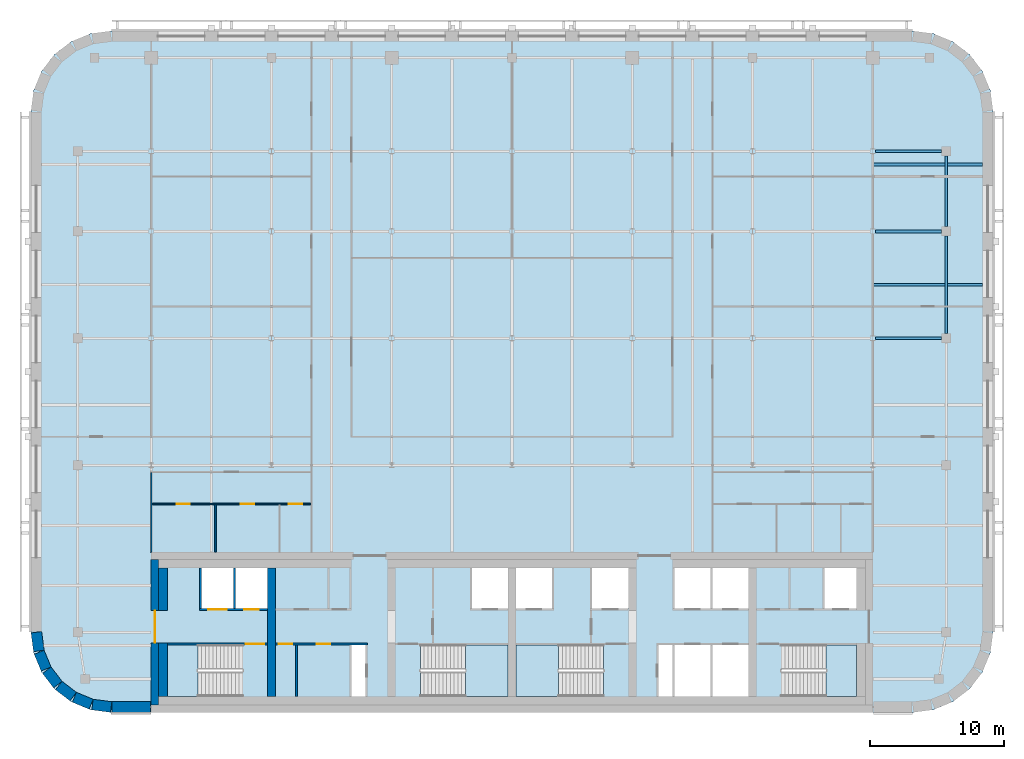
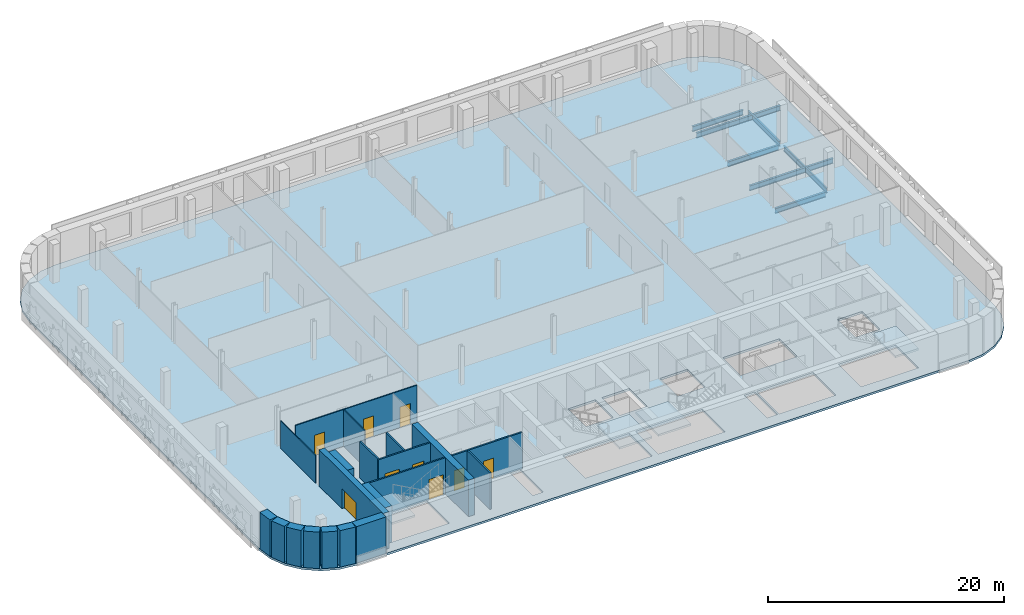
# One storey, part 6 of 16: 20 walls, 9 doors, 7 beams, 5 slabs, 9 openings, 4 elements without a shape of their own.
"""IFC4 building model written with IfcOpenShell, lengths in metres."""

from ifc_helpers import new_model, si_unit, direction, frame, frame_2d, origin, origin_2d, place, context, subcontext, project, spatial, polyline, rectangle, i_section, outline, extrude, material, layer, layer_set, material_profile, profile_set, type_object, element, fill, aggregate, save


model = new_model("IFC4")

# Units and contexts
model_context = context("Model", 3, precision=1e-05, world=origin(), true_north=direction((0.0, 1.0)))
body_context = subcontext(model_context, "Body", "Model", "MODEL_VIEW")
ifc_project = project(units=[si_unit("LENGTHUNIT", "METRE"), si_unit("AREAUNIT", "SQUARE_METRE"), si_unit("VOLUMEUNIT", "CUBIC_METRE"), si_unit("PLANEANGLEUNIT", "RADIAN"), si_unit("MASSUNIT", "GRAM", prefix="KILO")], contexts=[model_context])

# Site, building, storey
site_placement = place(None, origin())
site = spatial("IfcSite", under=ifc_project, at=site_placement, CompositionType="ELEMENT")
building_placement = place(site_placement, origin())
building = spatial("IfcBuilding", under=site, at=building_placement, Name="Zellij Exchange Tower", CompositionType="ELEMENT")
storey_placement = place(building_placement, frame((0.0, 0.0, 280.5)))
storey = spatial("IfcBuildingStorey", under=building, at=storey_placement, Name="L66", CompositionType="ELEMENT", Elevation=280.5)

# Beams
ifc_material_1 = material(Name="Structural steel ASTM A992 Gr 50", Category="steel")
ifc_material_profile_1 = material_profile(ifc_material_1, i_section(OverallWidth=0.209228515625, OverallDepth=0.533447265625, WebThickness=0.01025390625, FlangeThickness=0.015625, at=origin_2d()), Name="W21x62")
ifc_profile_set_1 = profile_set([ifc_material_profile_1], Name="Structural steel ASTM A992 Gr 50")
beam_type_1 = type_object("IfcBeamType", Name="STR-BEAM W21x62", PredefinedType="BEAM", material=ifc_profile_set_1)
for number, where, z_axis, x_axis, name in (
    (1, (27.0, 18.0, -0.48681640625), (1.0, 0.0, 0.0), (0.0, 1.0, 0.0), "B3"),
    (2, (27.0, 27.0, -0.48681640625), (1.0, 0.0, 0.0), (0.0, 1.0, 0.0), "B3"),
):
    element("IfcBeam", number, at=place(storey_placement, frame(where, z_axis=z_axis, x_axis=x_axis)), inside=storey, type_object=beam_type_1, Name=name, PredefinedType="BEAM", context=body_context, shape_type="SweptSolid", body=[
        extrude(i_section(OverallWidth=0.209228515625, OverallDepth=0.533447265625, WebThickness=0.01025390625, FlangeThickness=0.015625, at=origin_2d()), origin(), (0.0, 0.0, 1.0), 8.199951171875),
    ])
ifc_material_profile_2 = material_profile(ifc_material_1, i_section(OverallWidth=0.1650390625, OverallDepth=0.52587890625, WebThickness=0.0087890625, FlangeThickness=0.011474609375, at=origin_2d()), Name="W21x44")
ifc_profile_set_2 = profile_set([ifc_material_profile_2], Name="Structural steel ASTM A992 Gr 50")
beam_type_2 = type_object("IfcBeamType", Name="STR-EDGE GIRDER W21x44", PredefinedType="BEAM", material=ifc_profile_set_2)
beam_1_placement = place(storey_placement, frame((32.5, 14.35009765625, -0.48291015625), z_axis=(0.0, 1.0, 0.0), x_axis=(-1.0, 0.0, 0.0)))
element("IfcBeam", 3, at=beam_1_placement, inside=storey, type_object=beam_type_2, Name="EB2", PredefinedType="BEAM", context=body_context, shape_type="SweptSolid", body=[
    extrude(i_section(OverallWidth=0.1650390625, OverallDepth=0.52587890625, WebThickness=0.0087890625, FlangeThickness=0.011474609375, at=origin_2d()), origin(), (0.0, 0.0, 1.0), 7.2998046875),
])
beam_2_placement = place(storey_placement, frame((32.5, 22.35009765625, -0.48291015625), z_axis=(0.0, 1.0, 0.0), x_axis=(-1.0, 0.0, 0.0)))
element("IfcBeam", 4, at=beam_2_placement, inside=storey, type_object=beam_type_2, Name="EB2", PredefinedType="BEAM", context=body_context, shape_type="SweptSolid", body=[
    extrude(i_section(OverallWidth=0.1650390625, OverallDepth=0.52587890625, WebThickness=0.0087890625, FlangeThickness=0.011474609375, at=origin_2d()), origin(), (0.0, 0.0, 1.0), 5.2998046875),
])
ifc_material_profile_3 = material_profile(ifc_material_1, i_section(OverallWidth=0.209228515625, OverallDepth=0.533447265625, WebThickness=0.01025390625, FlangeThickness=0.015625, at=origin_2d()), Name="W21x62")
ifc_profile_set_3 = profile_set([ifc_material_profile_3], Name="Structural steel ASTM A992 Gr 50")
beam_type_3 = type_object("IfcBeamType", Name="STR-GIRDER W21x62", PredefinedType="BEAM", material=ifc_profile_set_3)
for number, where, z_axis, x_axis, name in (
    (5, (27.186767578125, 14.0, -0.48681640625), (1.0, 0.0, 0.0), (0.0, 1.0, 0.0), "G1"),
    (6, (27.186767578125, 22.0, -0.48681640625), (1.0, 0.0, 0.0), (0.0, 1.0, 0.0), "G1"),
    (7, (27.186767578125, 28.0, -0.48681640625), (1.0, 0.0, 0.0), (0.0, 1.0, 0.0), "G1"),
):
    element("IfcBeam", number, at=place(storey_placement, frame(where, z_axis=z_axis, x_axis=x_axis)), inside=storey, type_object=beam_type_3, Name=name, PredefinedType="BEAM", context=body_context, shape_type="SweptSolid", body=[
        extrude(i_section(OverallWidth=0.209228515625, OverallDepth=0.533447265625, WebThickness=0.01025390625, FlangeThickness=0.015625, at=origin_2d()), origin(), (0.0, 0.0, 1.0), 4.963134765625),
    ])

# Stair, slab
ifc_material_2 = material(Name="Concrete C40/50", Category="concrete")
stair_type = type_object("IfcStairType", Name="CORE-ST exit stair 1850 wide", PredefinedType="HALF_TURN_STAIR", material=ifc_material_2)
stair_1_placement = place(storey_placement, origin())
stair_1 = element("IfcStair", 8, at=stair_1_placement, inside=storey, type_object=stair_type, Name="L66 exit stair ST1", PredefinedType="HALF_TURN_STAIR")
ifc_layer_1 = layer(ifc_material_2, 0.199951171875)
ifc_layer_set_1 = layer_set([ifc_layer_1], Name="Concrete C40/50")
slab_type_1 = type_object("IfcSlabType", Name="CORE-SL stair landing 200", PredefinedType="LANDING", material=ifc_layer_set_1)
slab_1_placement = place(storey_placement, frame((0.0, 0.0, 1.800048828125)))
slab_1 = element("IfcSlab", 9, at=slab_1_placement, type_object=slab_type_1, Name="ST1 landing 1", PredefinedType="LANDING", context=body_context, shape_type="SweptSolid", body=[
    extrude(outline(polyline([(-23.510009765625, -8.949951171875), (-25.800048828125, -8.949951171875), (-25.800048828125, -12.800048828125), (-23.510009765625, -12.800048828125), (-23.510009765625, -8.949951171875)])), origin(), (0.0, 0.0, 1.0), 0.199951171875),
])
aggregate(stair_1, [slab_1])

stair_2_placement = place(storey_placement, origin())
stair_2 = element("IfcStair", 10, at=stair_2_placement, inside=storey, type_object=stair_type, Name="L66 exit stair ST2", PredefinedType="HALF_TURN_STAIR")
slab_2_placement = place(storey_placement, frame((0.0, 0.0, 1.800048828125)))
slab_2 = element("IfcSlab", 11, at=slab_2_placement, type_object=slab_type_1, Name="ST2 landing 1", PredefinedType="LANDING", context=body_context, shape_type="SweptSolid", body=[
    extrude(outline(polyline([(-3.489990234375, -12.800048828125), (-0.300048828125, -12.800048828125), (-0.300048828125, -8.949951171875), (-3.489990234375, -8.949951171875), (-3.489990234375, -12.800048828125)])), origin(), (0.0, 0.0, 1.0), 0.199951171875),
])
aggregate(stair_2, [slab_2])

stair_3_placement = place(storey_placement, origin())
stair_3 = element("IfcStair", 12, at=stair_3_placement, inside=storey, type_object=stair_type, Name="L66 exit stair ST3", PredefinedType="HALF_TURN_STAIR")
slab_3_placement = place(storey_placement, frame((0.0, 0.0, 1.800048828125)))
slab_3 = element("IfcSlab", 13, at=slab_3_placement, type_object=slab_type_1, Name="ST3 landing 1", PredefinedType="LANDING", context=body_context, shape_type="SweptSolid", body=[
    extrude(outline(polyline([(3.489990234375, -8.949951171875), (0.300048828125, -8.949951171875), (0.300048828125, -12.800048828125), (3.489990234375, -12.800048828125), (3.489990234375, -8.949951171875)])), origin(), (0.0, 0.0, 1.0), 0.199951171875),
])
aggregate(stair_3, [slab_3])

stair_4_placement = place(storey_placement, origin())
stair_4 = element("IfcStair", 14, at=stair_4_placement, inside=storey, type_object=stair_type, Name="L66 exit stair ST4", PredefinedType="HALF_TURN_STAIR")
slab_4_placement = place(storey_placement, frame((0.0, 0.0, 1.800048828125)))
slab_4 = element("IfcSlab", 15, at=slab_4_placement, type_object=slab_type_1, Name="ST4 landing 1", PredefinedType="LANDING", context=body_context, shape_type="SweptSolid", body=[
    extrude(outline(polyline([(23.510009765625, -12.800048828125), (25.800048828125, -12.800048828125), (25.800048828125, -8.949951171875), (23.510009765625, -8.949951171875), (23.510009765625, -12.800048828125)])), origin(), (0.0, 0.0, 1.0), 0.199951171875),
])
aggregate(stair_4, [slab_4])

# Slab
ifc_layer_2 = layer(ifc_material_2, 0.219970703125)
ifc_layer_set_2 = layer_set([ifc_layer_2], Name="Concrete C40/50")
slab_type_2 = type_object("IfcSlabType", Name="STR-FLOOR SLAB 220 C40/50", PredefinedType="FLOOR", material=ifc_layer_set_2)
slab_5_placement = place(storey_placement, frame((0.0, 0.0, -0.22021484375)))
element("IfcSlab", 16, at=slab_5_placement, inside=storey, type_object=slab_type_2, Name="Floor L66", PredefinedType="FLOOR", context=body_context, shape_type="SweptSolid", body=[
    extrude(outline(polyline([(-30.0, -14.0), (-31.552978515625, -13.795654296875), (-33.0, -13.1962890625), (-34.24267578125, -12.24267578125), (-35.1962890625, -11.0), (-35.795654296875, -9.552978515625), (-36.0, -8.0), (-36.0, 31.0), (-35.795654296875, 32.552978515625), (-35.1962890625, 34.0), (-34.24267578125, 35.24267578125), (-33.0, 36.1962890625), (-31.552978515625, 36.795654296875), (-30.0, 37.0), (30.0, 37.0), (31.552978515625, 36.795654296875), (33.0, 36.1962890625), (34.24267578125, 35.24267578125), (35.1962890625, 34.0), (35.795654296875, 32.552978515625), (36.0, 31.0), (36.0, -8.0), (35.795654296875, -9.552978515625), (35.1962890625, -11.0), (34.24267578125, -12.24267578125), (33.0, -13.1962890625), (31.552978515625, -13.795654296875), (30.0, -14.0), (-30.0, -14.0)]), holes=[polyline([(-25.800048828125, -8.949951171875), (-25.800048828125, -12.800048828125), (-20.153076171875, -12.800048828125), (-20.153076171875, -8.949951171875), (-25.800048828125, -8.949951171875)]), polyline([(-10.949951171875, -8.949951171875), (-12.0, -8.949951171875), (-12.0, -12.800048828125), (-10.949951171875, -12.800048828125), (-10.949951171875, -8.949951171875)]), polyline([(-0.300048828125, -8.949951171875), (-6.846923828125, -8.949951171875), (-6.846923828125, -12.800048828125), (-0.300048828125, -12.800048828125), (-0.300048828125, -8.949951171875)]), polyline([(0.300048828125, -8.949951171875), (0.300048828125, -12.800048828125), (6.846923828125, -12.800048828125), (6.846923828125, -8.949951171875), (0.300048828125, -8.949951171875)]), polyline([(-18.300048828125, -3.199951171875), (-23.25, -3.199951171875), (-23.25, -6.22509765625), (-18.300048828125, -6.22509765625), (-18.300048828125, -3.199951171875)]), polyline([(-0.300048828125, -3.199951171875), (-3.0, -3.199951171875), (-3.0, -6.22509765625), (-0.300048828125, -6.22509765625), (-0.300048828125, -3.199951171875)]), polyline([(0.300048828125, -3.199951171875), (0.300048828125, -6.22509765625), (3.0, -6.22509765625), (3.0, -3.199951171875), (0.300048828125, -3.199951171875)]), polyline([(12.0, -8.949951171875), (10.949951171875, -8.949951171875), (10.949951171875, -12.800048828125), (12.0, -12.800048828125), (12.0, -8.949951171875)]), polyline([(17.699951171875, -8.949951171875), (12.14990234375, -8.949951171875), (12.14990234375, -12.800048828125), (17.699951171875, -12.800048828125), (17.699951171875, -8.949951171875)]), polyline([(25.800048828125, -8.949951171875), (20.153076171875, -8.949951171875), (20.153076171875, -12.800048828125), (25.800048828125, -12.800048828125), (25.800048828125, -8.949951171875)]), polyline([(8.699951171875, -3.199951171875), (6.0, -3.199951171875), (6.0, -6.22509765625), (8.699951171875, -6.22509765625), (8.699951171875, -3.199951171875)]), polyline([(17.699951171875, -3.199951171875), (12.14990234375, -3.199951171875), (12.14990234375, -6.22509765625), (17.699951171875, -6.22509765625), (17.699951171875, -3.199951171875)]), polyline([(25.800048828125, -3.199951171875), (23.39990234375, -3.199951171875), (23.39990234375, -6.22509765625), (25.800048828125, -6.22509765625), (25.800048828125, -3.199951171875)])]), origin(), (0.0, 0.0, 1.0), 0.22021484375),
])

# Walls
ifc_material_3 = material(Name="Concrete C50/60", Category="concrete")
ifc_layer_3 = layer(ifc_material_3, 0.60009765625)
ifc_layer_set_3 = layer_set([ifc_layer_3], Name="Concrete C50/60")
wall_type_1 = type_object("IfcWallType", Name="CORE-CW 600 C50/60", PredefinedType="SHEAR", material=ifc_layer_set_3)
wall_1_placement = place(storey_placement, frame((-18.0, -12.800048828125, 0.0), z_axis=(0.0, 0.0, 1.0), x_axis=(0.0, 1.0, 0.0)))
element("IfcWall", 17, at=wall_1_placement, inside=storey, type_object=wall_type_1, Name="Core cross wall x -18 L66", PredefinedType="SHEAR", context=body_context, shape_type="SweptSolid", body=[
    extrude(rectangle(XDim=9.60009765625, YDim=0.60009765625, at=frame_2d((4.800048828125, 0.0))), origin(), (0.0, 0.0, 1.0), 3.780029296875),
])
ifc_material_4 = material(Name="Concrete C30/37", Category="concrete")
ifc_layer_4 = layer(ifc_material_4, 0.64990234375)
ifc_layer_set_4 = layer_set([ifc_layer_4], Name="Concrete C30/37")
wall_type_2 = type_object("IfcWallType", Name="CORE-LW 650 C30/37", PredefinedType="SHEAR", material=ifc_layer_set_4)
wall_2_placement = place(storey_placement, frame((-26.125, -12.800048828125, 0.0), z_axis=(0.0, 0.0, 1.0), x_axis=(0.0, 1.0, 0.0)))
element("IfcWall", 18, at=wall_2_placement, inside=storey, type_object=wall_type_2, Name="Core wall lining end w.0 L66", PredefinedType="SHEAR", context=body_context, shape_type="SweptSolid", body=[
    extrude(rectangle(XDim=4.0, YDim=0.64990234375, at=frame_2d((2.0, 0.0))), origin(), (0.0, 0.0, 1.0), 3.780029296875),
])
wall_3_placement = place(storey_placement, frame((-26.125, -6.375, 0.0), z_axis=(0.0, 0.0, 1.0), x_axis=(0.0, 1.0, 0.0)))
element("IfcWall", 19, at=wall_3_placement, inside=storey, type_object=wall_type_2, Name="Core wall lining end w.1 L66", PredefinedType="SHEAR", context=body_context, shape_type="SweptSolid", body=[
    extrude(rectangle(XDim=3.175048828125, YDim=0.64990234375, at=frame_2d((1.58740234375, 0.0))), origin(), (0.0, 0.0, 1.0), 3.780029296875),
])
ifc_material_5 = material(Name="Gypsum board partition")
ifc_layer_5 = layer(ifc_material_5, 0.14990234375)
ifc_layer_set_5 = layer_set([ifc_layer_5], Name="Gypsum board partition")
wall_type_3 = type_object("IfcWallType", Name="CORE-PW 150 Lift lobby wall", PredefinedType="PARTITIONING", material=ifc_layer_set_5)
wall_4_placement = place(storey_placement, frame((-16.125, -12.800048828125, 0.0), z_axis=(0.0, 0.0, 1.0), x_axis=(0.0, 1.0, 0.0)))
element("IfcWall", 20, at=wall_4_placement, inside=storey, type_object=wall_type_3, Name="Lift lobby wall L66", PredefinedType="PARTITIONING", context=body_context, shape_type="SweptSolid", body=[
    extrude(rectangle(XDim=3.85009765625, YDim=0.14990234375, at=frame_2d((1.925048828125, 0.0))), origin(), (0.0, 0.0, 1.0), 3.780029296875),
])

# Wall, openings, doors
wall_5_placement = place(storey_placement, frame((-17.699951171875, -8.875, 0.0), z_axis=(0.0, 0.0, 1.0), x_axis=(1.0, 0.0, 0.0)))
wall_5 = element("IfcWall", 21, at=wall_5_placement, inside=storey, type_object=wall_type_3, Name="Lift lobby wall L66", PredefinedType="PARTITIONING", context=body_context, shape_type="SweptSolid", body=[
    extrude(rectangle(XDim=6.89990234375, YDim=0.14990234375, at=frame_2d((3.449951171875, 0.0))), origin(), (0.0, 0.0, 1.0), 3.780029296875),
])
opening_1_placement = place(wall_5_placement, frame((0.25, 0.0, 0.0)))
opening_1 = element("IfcOpeningElement", 22, at=opening_1_placement, cuts=wall_5, Name="Opening CA-35.05", PredefinedType="OPENING", context=body_context, shape_type="SweptSolid", body=[
    extrude(rectangle(XDim=1.0, YDim=2.10009765625, at=frame_2d((0.5, 1.050048828125))), frame((0.0, 0.0869140625, 0.0), z_axis=(0.0, -1.0, 0.0), x_axis=(1.0, 0.0, 0.0)), (0.0, 0.0, 1.0), 0.173828125),
])
opening_2_placement = place(wall_5_placement, frame((3.10009765625, 0.0, 0.0)))
opening_2 = element("IfcOpeningElement", 23, at=opening_2_placement, cuts=wall_5, Name="Opening CA-35.07", PredefinedType="OPENING", context=body_context, shape_type="SweptSolid", body=[
    extrude(rectangle(XDim=1.0, YDim=2.10009765625, at=frame_2d((0.5, 1.050048828125))), frame((0.0, 0.0869140625, 0.0), z_axis=(0.0, -1.0, 0.0), x_axis=(1.0, 0.0, 0.0)), (0.0, 0.0, 1.0), 0.173828125),
])
ifc_material_6 = material(Name="Hollow metal fire door")
door_type_1 = type_object("IfcDoorType", Name="CORE-D CD Core room door 1000x2100 1 HR", OperationType="NOTDEFINED", PredefinedType="DOOR", material=ifc_material_6)
door_1_placement = place(opening_1_placement, origin())
door_1 = element("IfcDoor", 24, at=door_1_placement, inside=storey, type_object=door_type_1, Name="Core room door CA-35.05", OperationType="SINGLE_SWING_RIGHT", OverallHeight=2.10009765625, OverallWidth=1.0, PredefinedType="DOOR", context=body_context, shape_type="SweptSolid", body=[
    extrude(rectangle(XDim=1.0, YDim=2.10009765625, at=frame_2d((0.5, 1.050048828125))), frame((0.0, 0.02490234375, 0.0), z_axis=(0.0, -1.0, 0.0), x_axis=(1.0, 0.0, 0.0)), (0.0, 0.0, 1.0), 0.050048828125),
])
fill(opening_1, door_1)
door_2_placement = place(opening_2_placement, origin())
door_2 = element("IfcDoor", 25, at=door_2_placement, inside=storey, type_object=door_type_1, Name="Core room door CA-35.07", OperationType="SINGLE_SWING_LEFT", OverallHeight=2.10009765625, OverallWidth=1.0, PredefinedType="DOOR", context=body_context, shape_type="SweptSolid", body=[
    extrude(rectangle(XDim=1.0, YDim=2.10009765625, at=frame_2d((0.5, 1.050048828125))), frame((0.0, 0.02490234375, 0.0), z_axis=(0.0, -1.0, 0.0), x_axis=(1.0, 0.0, 0.0)), (0.0, 0.0, 1.0), 0.050048828125),
])
fill(opening_2, door_2)

# Walls
ifc_material_7 = material(Name="Gypsum shaft wall system")
ifc_layer_6 = layer(ifc_material_7, 0.14990234375)
ifc_layer_set_6 = layer_set([ifc_layer_6], Name="Gypsum shaft wall system")
wall_type_4 = type_object("IfcWallType", Name="CORE-PW 150 Lift shaft wall", PredefinedType="PARTITIONING", material=ifc_layer_set_6)
for number, where, z_axis, x_axis, name in (
    (26, (-20.77490234375, -6.22509765625, 0.0), (0.0, 0.0, 1.0), (0.0, 1.0, 0.0), "Lift shaft wall L66"),
    (27, (-23.324951171875, -6.22509765625, 0.0), (0.0, 0.0, 1.0), (0.0, 1.0, 0.0), "Lift shaft wall L66"),
):
    element("IfcWall", number, at=place(storey_placement, frame(where, z_axis=z_axis, x_axis=x_axis)), inside=storey, type_object=wall_type_4, Name=name, PredefinedType="PARTITIONING", context=body_context, shape_type="SweptSolid", body=[
        extrude(rectangle(XDim=3.025146484375, YDim=0.14990234375, at=frame_2d((1.5126953125, 0.0))), origin(), (0.0, 0.0, 1.0), 3.780029296875),
    ])

# Wall, openings, doors
wall_6_placement = place(storey_placement, frame((-23.39990234375, -6.300048828125, 0.0), z_axis=(0.0, 0.0, 1.0), x_axis=(1.0, 0.0, 0.0)))
wall_6 = element("IfcWall", 28, at=wall_6_placement, inside=storey, type_object=wall_type_4, Name="Lift shaft wall L66", PredefinedType="PARTITIONING", context=body_context, shape_type="SweptSolid", body=[
    extrude(rectangle(XDim=5.099853515625, YDim=0.14990234375, at=frame_2d((2.5498046875, 0.0))), origin(), (0.0, 0.0, 1.0), 3.780029296875),
])
opening_3_placement = place(wall_6_placement, frame((0.64990234375, 0.0, 0.0)))
opening_3 = element("IfcOpeningElement", 29, at=opening_3_placement, cuts=wall_6, Name="Opening CA-35.02", PredefinedType="OPENING", context=body_context, shape_type="SweptSolid", body=[
    extrude(rectangle(XDim=1.39990234375, YDim=2.10009765625, at=frame_2d((0.699951171875, 1.050048828125))), frame((0.0, 0.0869140625, 0.0), z_axis=(0.0, -1.0, 0.0), x_axis=(1.0, 0.0, 0.0)), (0.0, 0.0, 1.0), 0.173828125),
])
opening_4_placement = place(wall_6_placement, frame((3.35009765625, 0.0, 0.0)))
opening_4 = element("IfcOpeningElement", 30, at=opening_4_placement, cuts=wall_6, Name="Opening CA-35.03", PredefinedType="OPENING", context=body_context, shape_type="SweptSolid", body=[
    extrude(rectangle(XDim=1.10009765625, YDim=2.10009765625, at=frame_2d((0.550048828125, 1.050048828125))), frame((0.0, 0.0869140625, 0.0), z_axis=(0.0, -1.0, 0.0), x_axis=(1.0, 0.0, 0.0)), (0.0, 0.0, 1.0), 0.173828125),
])
door_type_2 = type_object("IfcDoorType", Name="CORE-D LD Lift landing door 1100x2100 1.5 HR", OperationType="NOTDEFINED", PredefinedType="DOOR", material=ifc_material_6)
door_3_placement = place(opening_4_placement, origin())
door_3 = element("IfcDoor", 31, at=door_3_placement, inside=storey, type_object=door_type_2, Name="Lift landing door CA-35.03", OperationType="SLIDING_TO_LEFT", OverallHeight=2.10009765625, OverallWidth=1.10009765625, PredefinedType="DOOR", context=body_context, shape_type="SweptSolid", body=[
    extrude(rectangle(XDim=1.10009765625, YDim=2.10009765625, at=frame_2d((0.550048828125, 1.050048828125))), frame((0.0, 0.02490234375, 0.0), z_axis=(0.0, -1.0, 0.0), x_axis=(1.0, 0.0, 0.0)), (0.0, 0.0, 1.0), 0.050048828125),
])
fill(opening_4, door_3)
door_type_3 = type_object("IfcDoorType", Name="CORE-D LD2 Service lift landing door 1400x2100 1.5 HR", OperationType="NOTDEFINED", PredefinedType="DOOR", material=ifc_material_6)
door_4_placement = place(opening_3_placement, origin())
door_4 = element("IfcDoor", 32, at=door_4_placement, inside=storey, type_object=door_type_3, Name="Service lift landing door CA-35.02", OperationType="SLIDING_TO_RIGHT", OverallHeight=2.10009765625, OverallWidth=1.39990234375, PredefinedType="DOOR", context=body_context, shape_type="SweptSolid", body=[
    extrude(rectangle(XDim=1.39990234375, YDim=2.10009765625, at=frame_2d((0.699951171875, 1.050048828125))), frame((0.0, 0.02490234375, 0.0), z_axis=(0.0, -1.0, 0.0), x_axis=(1.0, 0.0, 0.0)), (0.0, 0.0, 1.0), 0.050048828125),
])
fill(opening_3, door_4)

# Wall, opening, door
ifc_layer_7 = layer(ifc_material_3, 0.550048828125)
ifc_layer_set_7 = layer_set([ifc_layer_7], Name="Concrete C50/60")
wall_type_5 = type_object("IfcWallType", Name="CORE-SW 550 C50/60", PredefinedType="SHEAR", material=ifc_layer_set_7)
wall_7_placement = place(storey_placement, frame((-26.72509765625, -13.449951171875, 0.0), z_axis=(0.0, 0.0, 1.0), x_axis=(0.0, 1.0, 0.0)))
wall_7 = element("IfcWall", 33, at=wall_7_placement, inside=storey, type_object=wall_type_5, Name="Core shear wall end w L66", PredefinedType="SHEAR", context=body_context, shape_type="SweptSolid", body=[
    extrude(rectangle(XDim=10.89990234375, YDim=0.550048828125, at=frame_2d((5.449951171875, 0.0))), origin(), (0.0, 0.0, 1.0), 3.780029296875),
])
opening_5_placement = place(wall_7_placement, frame((4.662109375, 0.0, 0.0)))
opening_5 = element("IfcOpeningElement", 34, at=opening_5_placement, cuts=wall_7, Name="Opening CA-35.01", PredefinedType="OPENING", context=body_context, shape_type="SweptSolid", body=[
    extrude(rectangle(XDim=2.39990234375, YDim=2.10009765625, at=frame_2d((1.199951171875, 1.050048828125))), frame((0.0, 0.287109375, 0.0), z_axis=(0.0, -1.0, 0.0), x_axis=(1.0, 0.0, 0.0)), (0.0, 0.0, 1.0), 0.573974609375),
])
door_type_4 = type_object("IfcDoorType", Name="CORE-D CE Core entrance door 2400x2100 20 MIN", OperationType="NOTDEFINED", PredefinedType="DOOR", material=ifc_material_6)
door_5_placement = place(opening_5_placement, origin())
door_5 = element("IfcDoor", 35, at=door_5_placement, inside=storey, type_object=door_type_4, Name="Core entrance door CA-35.01", OperationType="DOUBLE_DOOR_SINGLE_SWING", OverallHeight=2.10009765625, OverallWidth=2.39990234375, PredefinedType="DOOR", context=body_context, shape_type="SweptSolid", body=[
    extrude(rectangle(XDim=2.39990234375, YDim=2.10009765625, at=frame_2d((1.199951171875, 1.050048828125))), frame((0.0, 0.02490234375, 0.0), z_axis=(0.0, -1.0, 0.0), x_axis=(1.0, 0.0, 0.0)), (0.0, 0.0, 1.0), 0.050048828125),
])
fill(opening_5, door_5)

ifc_layer_8 = layer(ifc_material_3, 0.14990234375)
ifc_layer_set_8 = layer_set([ifc_layer_8], Name="Concrete C50/60")
wall_type_6 = type_object("IfcWallType", Name="CORE-SWS 150 C50/60", PredefinedType="SHEAR", material=ifc_layer_set_8)
wall_8_placement = place(storey_placement, frame((-25.800048828125, -8.875, 0.0), z_axis=(0.0, 0.0, 1.0), x_axis=(1.0, 0.0, 0.0)))
wall_8 = element("IfcWall", 36, at=wall_8_placement, inside=storey, type_object=wall_type_6, Name="Stair enclosure wall L66", PredefinedType="SHEAR", context=body_context, shape_type="SweptSolid", body=[
    extrude(rectangle(XDim=7.5, YDim=0.14990234375, at=frame_2d((3.75, 0.0))), origin(), (0.0, 0.0, 1.0), 3.780029296875),
])
opening_6_placement = place(wall_8_placement, frame((5.875, 0.0, 0.0)))
opening_6 = element("IfcOpeningElement", 37, at=opening_6_placement, cuts=wall_8, Name="Opening CA-35.04", PredefinedType="OPENING", context=body_context, shape_type="SweptSolid", body=[
    extrude(rectangle(XDim=1.39990234375, YDim=2.10009765625, at=frame_2d((0.699951171875, 1.050048828125))), frame((0.0, 0.0869140625, 0.0), z_axis=(0.0, -1.0, 0.0), x_axis=(1.0, 0.0, 0.0)), (0.0, 0.0, 1.0), 0.173828125),
])
door_type_5 = type_object("IfcDoorType", Name="CORE-D SD Stair door 1400x2100 1.5 HR", OperationType="NOTDEFINED", PredefinedType="DOOR", material=ifc_material_6)
door_6_placement = place(opening_6_placement, origin())
door_6 = element("IfcDoor", 38, at=door_6_placement, inside=storey, type_object=door_type_5, Name="Stair door CA-35.04", OperationType="DOUBLE_DOOR_SINGLE_SWING", OverallHeight=2.10009765625, OverallWidth=1.39990234375, PredefinedType="DOOR", context=body_context, shape_type="SweptSolid", body=[
    extrude(rectangle(XDim=1.39990234375, YDim=2.10009765625, at=frame_2d((0.699951171875, 1.050048828125))), frame((0.0, 0.02490234375, 0.0), z_axis=(0.0, -1.0, 0.0), x_axis=(1.0, 0.0, 0.0)), (0.0, 0.0, 1.0), 0.050048828125),
])
fill(opening_6, door_6)

# Walls
ifc_material_8 = material(Name="Precast concrete C40/50", Category="concrete")
ifc_layer_9 = layer(ifc_material_8, 0.800048828125)
ifc_layer_set_9 = layer_set([ifc_layer_9], Name="Precast concrete C40/50")
wall_type_7 = type_object("IfcWallType", Name="ENV-EW1 Precast stone-piered wall 800", PredefinedType="SOLIDWALL", material=ifc_layer_set_9)
wall_9_placement = place(storey_placement, frame((-29.947509765625, -13.60009765625, 0.0), z_axis=(0.0, 0.0, 1.0), x_axis=(1.0, 0.0, 0.0)))
element("IfcWall", 39, at=wall_9_placement, inside=storey, type_object=wall_type_7, Name="fac.L66.00a", PredefinedType="SOLIDWALL", context=body_context, shape_type="SweptSolid", body=[
    extrude(rectangle(XDim=2.8974609375, YDim=0.800048828125, at=frame_2d((1.44873046875, 0.0))), origin(), (0.0, 0.0, 1.0), 3.780029296875),
])
wall_10_placement = place(storey_placement, frame((-35.5966796875, -7.999755859375, 0.0), z_axis=(0.0, 0.0, 1.0), x_axis=(0.130517283865, -0.99144603414, 0.0)))
element("IfcWall", 40, at=wall_10_placement, inside=storey, type_object=wall_type_7, Name="fac.L66.22", PredefinedType="SOLIDWALL", context=body_context, shape_type="SweptSolid", body=[
    extrude(rectangle(XDim=1.408447265625, YDim=0.800048828125, at=frame_2d((0.7041015625, 0.0))), origin(), (0.0, 0.0, 1.0), 3.780029296875),
])
wall_11_placement = place(storey_placement, frame((-35.3857421875, -9.497314453125, 0.0), z_axis=(0.0, 0.0, 1.0), x_axis=(0.38276009378, -0.923847774587, 0.0)))
element("IfcWall", 41, at=wall_11_placement, inside=storey, type_object=wall_type_7, Name="fac.L66.23", PredefinedType="SOLIDWALL", context=body_context, shape_type="SweptSolid", body=[
    extrude(rectangle(XDim=1.35546875, YDim=0.800048828125, at=frame_2d((0.677734375, 0.0))), origin(), (0.0, 0.0, 1.0), 3.780029296875),
])
for number, where, z_axis, x_axis, name in (
    (42, (-34.814697265625, -10.840087890625, 0.0), (0.0, 0.0, 1.0), (0.608866226366, -0.793272915452, 0.0), "fac.L66.24"),
    (43, (-33.91552734375, -11.9892578125, 0.0), (0.0, 0.0, 1.0), (0.793272915452, -0.608866226366, 0.0), "fac.L66.25"),
):
    element("IfcWall", number, at=place(storey_placement, frame(where, z_axis=z_axis, x_axis=x_axis)), inside=storey, type_object=wall_type_7, Name=name, PredefinedType="SOLIDWALL", context=body_context, shape_type="SweptSolid", body=[
        extrude(rectangle(XDim=1.355712890625, YDim=0.800048828125, at=frame_2d((0.677734375, 0.0))), origin(), (0.0, 0.0, 1.0), 3.780029296875),
    ])
wall_12_placement = place(storey_placement, frame((-32.74951171875, -12.866943359375, 0.0), z_axis=(0.0, 0.0, 1.0), x_axis=(0.923847774587, -0.38276009378, 0.0)))
element("IfcWall", 44, at=wall_12_placement, inside=storey, type_object=wall_type_7, Name="fac.L66.26", PredefinedType="SOLIDWALL", context=body_context, shape_type="SweptSolid", body=[
    extrude(rectangle(XDim=1.35546875, YDim=0.800048828125, at=frame_2d((0.677734375, 0.0))), origin(), (0.0, 0.0, 1.0), 3.780029296875),
])
wall_13_placement = place(storey_placement, frame((-31.396240234375, -13.412841796875, 0.0), z_axis=(0.0, 0.0, 1.0), x_axis=(0.99144603414, -0.130517283865, 0.0)))
element("IfcWall", 45, at=wall_13_placement, inside=storey, type_object=wall_type_7, Name="fac.L66.27", PredefinedType="SOLIDWALL", context=body_context, shape_type="SweptSolid", body=[
    extrude(rectangle(XDim=1.408447265625, YDim=0.800048828125, at=frame_2d((0.7041015625, 0.0))), origin(), (0.0, 0.0, 1.0), 3.780029296875),
])
ifc_material_9 = material(Name="Gypsum board partition on steel studs", Category="steel")
ifc_layer_10 = layer(ifc_material_9, 0.10009765625)
ifc_layer_set_10 = layer_set([ifc_layer_10], Name="Gypsum board partition on steel studs")
wall_type_8 = type_object("IfcWallType", Name="FIT-PARTITION-100", PredefinedType="PARTITIONING", material=ifc_layer_set_10)
wall_14_placement = place(storey_placement, frame((-27.0, -2.0, 0.0), z_axis=(0.0, 0.0, 1.0), x_axis=(0.0, 1.0, 0.0)))
element("IfcWall", 46, at=wall_14_placement, inside=storey, type_object=wall_type_8, Name="FIT-PARTITION-100 001", PredefinedType="PARTITIONING", context=body_context, shape_type="SweptSolid", body=[
    extrude(rectangle(XDim=5.949951171875, YDim=0.10009765625, at=frame_2d((2.97509765625, 0.0))), origin(), (0.0, 0.0, 1.0), 2.847900390625),
])
wall_15_placement = place(storey_placement, frame((-22.199951171875, -2.0, 0.0), z_axis=(0.0, 0.0, 1.0), x_axis=(0.0, 1.0, 0.0)))
element("IfcWall", 47, at=wall_15_placement, inside=storey, type_object=wall_type_8, Name="FIT-PARTITION-100 002", PredefinedType="PARTITIONING", context=body_context, shape_type="SweptSolid", body=[
    extrude(rectangle(XDim=3.550048828125, YDim=0.10009765625, at=frame_2d((1.77490234375, 0.0))), origin(), (0.0, 0.0, 1.0), 3.780029296875),
])

# Wall, openings, doors
wall_16_placement = place(storey_placement, frame((-26.949951171875, 1.60009765625, 0.0), z_axis=(0.0, 0.0, 1.0), x_axis=(1.0, 0.0, 0.0)))
wall_16 = element("IfcWall", 48, at=wall_16_placement, inside=storey, type_object=wall_type_8, Name="FIT-PARTITION-100 009", PredefinedType="PARTITIONING", context=body_context, shape_type="SweptSolid", body=[
    extrude(rectangle(XDim=11.89990234375, YDim=0.10009765625, at=frame_2d((5.949951171875, 0.0))), origin(), (0.0, 0.0, 1.0), 3.780029296875),
])
opening_7_placement = place(wall_16_placement, frame((1.85009765625, 0.0, 0.0)))
opening_7 = element("IfcOpeningElement", 49, at=opening_7_placement, cuts=wall_16, Name="Opening EX3.01", PredefinedType="OPENING", context=body_context, shape_type="SweptSolid", body=[
    extrude(rectangle(XDim=1.0, YDim=2.10009765625, at=frame_2d((0.5, 1.050048828125))), frame((0.0, 0.06201171875, 0.0), z_axis=(0.0, -1.0, 0.0), x_axis=(1.0, 0.0, 0.0)), (0.0, 0.0, 1.0), 0.1240234375),
])
opening_8_placement = place(wall_16_placement, frame((6.64990234375, 0.0, 0.0)))
opening_8 = element("IfcOpeningElement", 50, at=opening_8_placement, cuts=wall_16, Name="Opening EX3.02", PredefinedType="OPENING", context=body_context, shape_type="SweptSolid", body=[
    extrude(rectangle(XDim=1.0, YDim=2.10009765625, at=frame_2d((0.5, 1.050048828125))), frame((0.0, 0.06201171875, 0.0), z_axis=(0.0, -1.0, 0.0), x_axis=(1.0, 0.0, 0.0)), (0.0, 0.0, 1.0), 0.1240234375),
])
opening_9_placement = place(wall_16_placement, frame((10.25, 0.0, 0.0)))
opening_9 = element("IfcOpeningElement", 51, at=opening_9_placement, cuts=wall_16, Name="Opening EX3.03", PredefinedType="OPENING", context=body_context, shape_type="SweptSolid", body=[
    extrude(rectangle(XDim=1.0, YDim=2.10009765625, at=frame_2d((0.5, 1.050048828125))), frame((0.0, 0.06201171875, 0.0), z_axis=(0.0, -1.0, 0.0), x_axis=(1.0, 0.0, 0.0)), (0.0, 0.0, 1.0), 0.1240234375),
])
ifc_material_10 = material(Name="Timber door set", Category="wood")
door_type_6 = type_object("IfcDoorType", Name="FIT-D2-WIDE-1000X2100", OperationType="SINGLE_SWING_LEFT", PredefinedType="DOOR", material=ifc_material_10)
door_7_placement = place(opening_7_placement, origin())
door_7 = element("IfcDoor", 52, at=door_7_placement, inside=storey, type_object=door_type_6, Name="Door EX3.01", OperationType="SINGLE_SWING_LEFT", OverallHeight=2.10009765625, OverallWidth=1.0, PredefinedType="DOOR", context=body_context, shape_type="SweptSolid", body=[
    extrude(rectangle(XDim=1.0, YDim=2.10009765625, at=frame_2d((0.5, 1.050048828125))), frame((0.0, 0.02490234375, 0.0), z_axis=(0.0, -1.0, 0.0), x_axis=(1.0, 0.0, 0.0)), (0.0, 0.0, 1.0), 0.050048828125),
])
fill(opening_7, door_7)
door_8_placement = place(opening_8_placement, origin())
door_8 = element("IfcDoor", 53, at=door_8_placement, inside=storey, type_object=door_type_6, Name="Door EX3.02", OperationType="SINGLE_SWING_RIGHT", OverallHeight=2.10009765625, OverallWidth=1.0, PredefinedType="DOOR", context=body_context, shape_type="SweptSolid", body=[
    extrude(rectangle(XDim=1.0, YDim=2.10009765625, at=frame_2d((0.5, 1.050048828125))), frame((0.0, 0.02490234375, 0.0), z_axis=(0.0, -1.0, 0.0), x_axis=(1.0, 0.0, 0.0)), (0.0, 0.0, 1.0), 0.050048828125),
])
fill(opening_8, door_8)
door_9_placement = place(opening_9_placement, origin())
door_9 = element("IfcDoor", 54, at=door_9_placement, inside=storey, type_object=door_type_6, Name="Door EX3.03", OperationType="SINGLE_SWING_LEFT", OverallHeight=2.10009765625, OverallWidth=1.0, PredefinedType="DOOR", context=body_context, shape_type="SweptSolid", body=[
    extrude(rectangle(XDim=1.0, YDim=2.10009765625, at=frame_2d((0.5, 1.050048828125))), frame((0.0, 0.02490234375, 0.0), z_axis=(0.0, -1.0, 0.0), x_axis=(1.0, 0.0, 0.0)), (0.0, 0.0, 1.0), 0.050048828125),
])
fill(opening_9, door_9)

save(model, "model.ifc")
